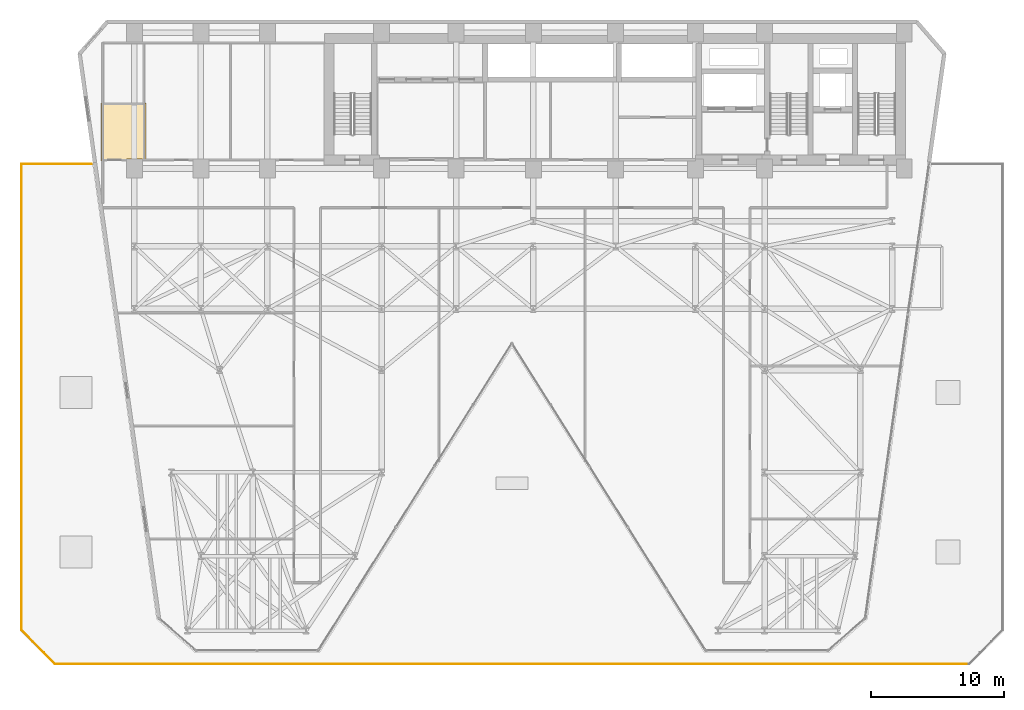
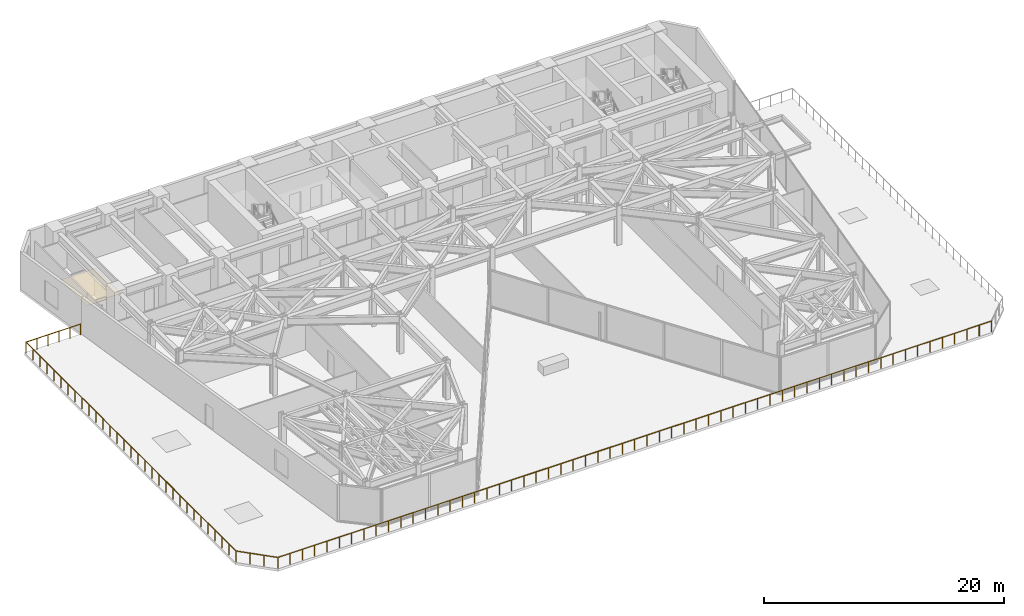
# One storey, part 21 of 25: 4 railings, 1 covering.
"""IFC4 building model written with IfcOpenShell, lengths in metres."""

from ifc_helpers import new_model, si_unit, direction, frame, origin, origin_2d, place, context, subcontext, project, spatial, polyline, circle, outline, extrude, material, layer, layer_set, type_object, element, save


model = new_model("IFC4")

# Units and contexts
model_context = context("Model", 3, precision=1e-05, world=origin(), true_north=direction((0.0, 1.0)))
body_context = subcontext(model_context, "Body", "Model", "MODEL_VIEW")
ifc_project = project(units=[si_unit("LENGTHUNIT", "METRE"), si_unit("AREAUNIT", "SQUARE_METRE"), si_unit("VOLUMEUNIT", "CUBIC_METRE"), si_unit("PLANEANGLEUNIT", "RADIAN"), si_unit("MASSUNIT", "GRAM", prefix="KILO")], contexts=[model_context])

# Site, building, storey
site_placement = place(None, origin())
site = spatial("IfcSite", under=ifc_project, at=site_placement, CompositionType="ELEMENT")
building_placement = place(site_placement, origin())
building = spatial("IfcBuilding", under=site, at=building_placement, Name="Kravanh Interchange Tower", CompositionType="ELEMENT")
storey_placement = place(building_placement, frame((0.0, 0.0, 29.5)))
storey = spatial("IfcBuildingStorey", under=building, at=storey_placement, Name="L06", CompositionType="ELEMENT", Elevation=29.5)

# Covering
ifc_material_1 = material(Name="Acoustic Mineral Fibre Tile on Aluminium Grid", Category="aluminium")
ifc_layer_1 = layer(ifc_material_1, 0.02490234375)
ifc_layer_set_1 = layer_set([ifc_layer_1], Name="Perforated Acoustic Mineral Ceiling 25mm")
covering_type = type_object("IfcCoveringType", Name="Perforated Acoustic Mineral Ceiling 25mm", PredefinedType="CEILING", material=ifc_layer_set_1)
covering_placement = place(storey_placement, frame((0.0, 0.0, 2.550048828125)))
element("IfcCovering", 1, at=covering_placement, inside=storey, type_object=covering_type, Name="L06 Accessible WC Suspended Ceiling", PredefinedType="CEILING", context=body_context, shape_type="SweptSolid", body=[
    extrude(outline(polyline([(9.4599609375, 42.280029296875), (9.4599609375, 37.909912109375), (9.199951171875, 37.909912109375), (9.199951171875, 38.050048828125), (8.0, 38.050048828125), (8.0, 37.909912109375), (6.080078125, 37.909912109375), (6.080078125, 42.280029296875), (9.4599609375, 42.280029296875)])), origin(), (0.0, 0.0, 1.0), 0.02490234375),
])

# Railings
ifc_material_2 = material(Name="Stainless Steel 316", Category="steel")
ifc_layer_2 = layer(ifc_material_2, 0.06005859375)
ifc_layer_set_2 = layer_set([ifc_layer_2], Name="Perimeter Balcony and Terrace Guardrail Stainless 316 1120mm")
railing_type = type_object("IfcRailingType", Name="Perimeter Balcony and Terrace Guardrail Stainless 316 1120mm", PredefinedType="GUARDRAIL", material=ifc_layer_set_2)
railing_1_placement = place(storey_placement, frame((71.358642578125, 0.10009765625, 0.0)))
element("IfcRailing", 2, at=railing_1_placement, inside=storey, type_object=railing_type, Name="L06 Stepped Terrace Guardrail 2", PredefinedType="GUARDRAIL", context=body_context, shape_type="SweptSolid", body=[
    extrude(circle(Radius=0.02392578125, at=origin_2d()), frame((0.0, 0.0, 1.09619140625), z_axis=(-1.0, 0.0, 0.0), x_axis=(0.0, -1.0, 0.0)), (0.0, 0.0, 1.0), 68.71728515625),
    extrude(circle(Radius=0.02099609375, at=origin_2d()), origin(), (0.0, 0.0, 1.0), 1.072021484375),
    extrude(circle(Radius=0.02099609375, at=origin_2d()), frame((-1.184814453125, 0.0, 0.0)), (0.0, 0.0, 1.0), 1.072021484375),
    extrude(circle(Radius=0.02099609375, at=origin_2d()), frame((-2.36962890625, 0.0, 0.0)), (0.0, 0.0, 1.0), 1.072021484375),
    extrude(circle(Radius=0.02099609375, at=origin_2d()), frame((-3.554443359375, 0.0, 0.0)), (0.0, 0.0, 1.0), 1.072021484375),
    extrude(circle(Radius=0.02099609375, at=origin_2d()), frame((-4.739013671875, 0.0, 0.0)), (0.0, 0.0, 1.0), 1.072021484375),
    extrude(circle(Radius=0.02099609375, at=origin_2d()), frame((-5.923828125, 0.0, 0.0)), (0.0, 0.0, 1.0), 1.072021484375),
    extrude(circle(Radius=0.02099609375, at=origin_2d()), frame((-7.108642578125, 0.0, 0.0)), (0.0, 0.0, 1.0), 1.072021484375),
    extrude(circle(Radius=0.02099609375, at=origin_2d()), frame((-8.29345703125, 0.0, 0.0)), (0.0, 0.0, 1.0), 1.072021484375),
    extrude(circle(Radius=0.02099609375, at=origin_2d()), frame((-9.478271484375, 0.0, 0.0)), (0.0, 0.0, 1.0), 1.072021484375),
    extrude(circle(Radius=0.02099609375, at=origin_2d()), frame((-10.6630859375, 0.0, 0.0)), (0.0, 0.0, 1.0), 1.072021484375),
    extrude(circle(Radius=0.02099609375, at=origin_2d()), frame((-11.847900390625, 0.0, 0.0)), (0.0, 0.0, 1.0), 1.072021484375),
    extrude(circle(Radius=0.02099609375, at=origin_2d()), frame((-13.032470703125, 0.0, 0.0)), (0.0, 0.0, 1.0), 1.072021484375),
    extrude(circle(Radius=0.02099609375, at=origin_2d()), frame((-14.21728515625, 0.0, 0.0)), (0.0, 0.0, 1.0), 1.072021484375),
    extrude(circle(Radius=0.02099609375, at=origin_2d()), frame((-15.402099609375, 0.0, 0.0)), (0.0, 0.0, 1.0), 1.072021484375),
    extrude(circle(Radius=0.02099609375, at=origin_2d()), frame((-16.5869140625, 0.0, 0.0)), (0.0, 0.0, 1.0), 1.072021484375),
    extrude(circle(Radius=0.02099609375, at=origin_2d()), frame((-17.771728515625, 0.0, 0.0)), (0.0, 0.0, 1.0), 1.072021484375),
    extrude(circle(Radius=0.02099609375, at=origin_2d()), frame((-18.95654296875, 0.0, 0.0)), (0.0, 0.0, 1.0), 1.072021484375),
    extrude(circle(Radius=0.02099609375, at=origin_2d()), frame((-20.141357421875, 0.0, 0.0)), (0.0, 0.0, 1.0), 1.072021484375),
    extrude(circle(Radius=0.02099609375, at=origin_2d()), frame((-21.326171875, 0.0, 0.0)), (0.0, 0.0, 1.0), 1.072021484375),
    extrude(circle(Radius=0.02099609375, at=origin_2d()), frame((-22.5107421875, 0.0, 0.0)), (0.0, 0.0, 1.0), 1.072021484375),
    extrude(circle(Radius=0.02099609375, at=origin_2d()), frame((-23.695556640625, 0.0, 0.0)), (0.0, 0.0, 1.0), 1.072021484375),
    extrude(circle(Radius=0.02099609375, at=origin_2d()), frame((-24.88037109375, 0.0, 0.0)), (0.0, 0.0, 1.0), 1.072021484375),
    extrude(circle(Radius=0.02099609375, at=origin_2d()), frame((-26.065185546875, 0.0, 0.0)), (0.0, 0.0, 1.0), 1.072021484375),
    extrude(circle(Radius=0.02099609375, at=origin_2d()), frame((-27.25, 0.0, 0.0)), (0.0, 0.0, 1.0), 1.072021484375),
    extrude(circle(Radius=0.02099609375, at=origin_2d()), frame((-28.434814453125, 0.0, 0.0)), (0.0, 0.0, 1.0), 1.072021484375),
    extrude(circle(Radius=0.02099609375, at=origin_2d()), frame((-29.61962890625, 0.0, 0.0)), (0.0, 0.0, 1.0), 1.072021484375),
    extrude(circle(Radius=0.02099609375, at=origin_2d()), frame((-30.80419921875, 0.0, 0.0)), (0.0, 0.0, 1.0), 1.072021484375),
    extrude(circle(Radius=0.02099609375, at=origin_2d()), frame((-31.989013671875, 0.0, 0.0)), (0.0, 0.0, 1.0), 1.072021484375),
    extrude(circle(Radius=0.02099609375, at=origin_2d()), frame((-33.173828125, 0.0, 0.0)), (0.0, 0.0, 1.0), 1.072021484375),
    extrude(circle(Radius=0.02099609375, at=origin_2d()), frame((-34.358642578125, 0.0, 0.0)), (0.0, 0.0, 1.0), 1.072021484375),
    extrude(circle(Radius=0.02099609375, at=origin_2d()), frame((-35.54345703125, 0.0, 0.0)), (0.0, 0.0, 1.0), 1.072021484375),
    extrude(circle(Radius=0.02099609375, at=origin_2d()), frame((-36.728271484375, 0.0, 0.0)), (0.0, 0.0, 1.0), 1.072021484375),
    extrude(circle(Radius=0.02099609375, at=origin_2d()), frame((-37.9130859375, 0.0, 0.0)), (0.0, 0.0, 1.0), 1.072021484375),
    extrude(circle(Radius=0.02099609375, at=origin_2d()), frame((-39.09765625, 0.0, 0.0)), (0.0, 0.0, 1.0), 1.072021484375),
    extrude(circle(Radius=0.02099609375, at=origin_2d()), frame((-40.282470703125, 0.0, 0.0)), (0.0, 0.0, 1.0), 1.072021484375),
    extrude(circle(Radius=0.02099609375, at=origin_2d()), frame((-41.46728515625, 0.0, 0.0)), (0.0, 0.0, 1.0), 1.072021484375),
    extrude(circle(Radius=0.02099609375, at=origin_2d()), frame((-42.652099609375, 0.0, 0.0)), (0.0, 0.0, 1.0), 1.072021484375),
    extrude(circle(Radius=0.02099609375, at=origin_2d()), frame((-43.8369140625, 0.0, 0.0)), (0.0, 0.0, 1.0), 1.072021484375),
    extrude(circle(Radius=0.02099609375, at=origin_2d()), frame((-45.021728515625, 0.0, 0.0)), (0.0, 0.0, 1.0), 1.072021484375),
    extrude(circle(Radius=0.02099609375, at=origin_2d()), frame((-46.20654296875, 0.0, 0.0)), (0.0, 0.0, 1.0), 1.072021484375),
    extrude(circle(Radius=0.02099609375, at=origin_2d()), frame((-47.39111328125, 0.0, 0.0)), (0.0, 0.0, 1.0), 1.072021484375),
    extrude(circle(Radius=0.02099609375, at=origin_2d()), frame((-48.575927734375, 0.0, 0.0)), (0.0, 0.0, 1.0), 1.072021484375),
    extrude(circle(Radius=0.02099609375, at=origin_2d()), frame((-49.7607421875, 0.0, 0.0)), (0.0, 0.0, 1.0), 1.072021484375),
    extrude(circle(Radius=0.02099609375, at=origin_2d()), frame((-50.945556640625, 0.0, 0.0)), (0.0, 0.0, 1.0), 1.072021484375),
    extrude(circle(Radius=0.02099609375, at=origin_2d()), frame((-52.13037109375, 0.0, 0.0)), (0.0, 0.0, 1.0), 1.072021484375),
    extrude(circle(Radius=0.02099609375, at=origin_2d()), frame((-53.315185546875, 0.0, 0.0)), (0.0, 0.0, 1.0), 1.072021484375),
    extrude(circle(Radius=0.02099609375, at=origin_2d()), frame((-54.5, 0.0, 0.0)), (0.0, 0.0, 1.0), 1.072021484375),
    extrude(circle(Radius=0.02099609375, at=origin_2d()), frame((-55.684814453125, 0.0, 0.0)), (0.0, 0.0, 1.0), 1.072021484375),
    extrude(circle(Radius=0.02099609375, at=origin_2d()), frame((-56.869384765625, 0.0, 0.0)), (0.0, 0.0, 1.0), 1.072021484375),
    extrude(circle(Radius=0.02099609375, at=origin_2d()), frame((-58.05419921875, 0.0, 0.0)), (0.0, 0.0, 1.0), 1.072021484375),
    extrude(circle(Radius=0.02099609375, at=origin_2d()), frame((-59.239013671875, 0.0, 0.0)), (0.0, 0.0, 1.0), 1.072021484375),
    extrude(circle(Radius=0.02099609375, at=origin_2d()), frame((-60.423828125, 0.0, 0.0)), (0.0, 0.0, 1.0), 1.072021484375),
    extrude(circle(Radius=0.02099609375, at=origin_2d()), frame((-61.608642578125, 0.0, 0.0)), (0.0, 0.0, 1.0), 1.072021484375),
    extrude(circle(Radius=0.02099609375, at=origin_2d()), frame((-62.79345703125, 0.0, 0.0)), (0.0, 0.0, 1.0), 1.072021484375),
    extrude(circle(Radius=0.02099609375, at=origin_2d()), frame((-63.978271484375, 0.0, 0.0)), (0.0, 0.0, 1.0), 1.072021484375),
    extrude(circle(Radius=0.02099609375, at=origin_2d()), frame((-65.162841796875, 0.0, 0.0)), (0.0, 0.0, 1.0), 1.072021484375),
    extrude(circle(Radius=0.02099609375, at=origin_2d()), frame((-66.34765625, 0.0, 0.0)), (0.0, 0.0, 1.0), 1.072021484375),
    extrude(circle(Radius=0.02099609375, at=origin_2d()), frame((-67.532470703125, 0.0, 0.0)), (0.0, 0.0, 1.0), 1.072021484375),
    extrude(circle(Radius=0.02099609375, at=origin_2d()), frame((-68.71728515625, 0.0, 0.0)), (0.0, 0.0, 1.0), 1.072021484375),
])
railing_2_placement = place(storey_placement, frame((2.641357421875, 0.10009765625, 0.0)))
element("IfcRailing", 3, at=railing_2_placement, inside=storey, type_object=railing_type, Name="L06 Stepped Terrace Guardrail 3", PredefinedType="GUARDRAIL", context=body_context, shape_type="SweptSolid", body=[
    extrude(circle(Radius=0.02392578125, at=origin_2d()), frame((0.0, 0.0, 1.09619140625), z_axis=(-0.707106781187, 0.707106781187, 0.0), x_axis=(-0.707106781187, -0.707106781187, 0.0)), (0.0, 0.0, 1.0), 3.593994140625),
    extrude(circle(Radius=0.02099609375, at=origin_2d()), origin(), (0.0, 0.0, 1.0), 1.072021484375),
    extrude(circle(Radius=0.02099609375, at=origin_2d()), frame((-0.84716796875, 0.84716796875, 0.0)), (0.0, 0.0, 1.0), 1.072021484375),
    extrude(circle(Radius=0.02099609375, at=origin_2d()), frame((-1.694091796875, 1.694091796875, 0.0)), (0.0, 0.0, 1.0), 1.072021484375),
    extrude(circle(Radius=0.02099609375, at=origin_2d()), frame((-2.541259765625, 2.541259765625, 0.0)), (0.0, 0.0, 1.0), 1.072021484375),
])
railing_3_placement = place(storey_placement, frame((0.10009765625, 2.641357421875, 0.0)))
element("IfcRailing", 4, at=railing_3_placement, inside=storey, type_object=railing_type, Name="L06 Stepped Terrace Guardrail 4", PredefinedType="GUARDRAIL", context=body_context, shape_type="SweptSolid", body=[
    extrude(circle(Radius=0.02392578125, at=origin_2d()), frame((0.0, 0.0, 1.09619140625), z_axis=(0.0, 1.0, 0.0), x_axis=(-1.0, 0.0, 0.0)), (0.0, 0.0, 1.0), 35.05859375),
    extrude(circle(Radius=0.02099609375, at=origin_2d()), origin(), (0.0, 0.0, 1.0), 1.072021484375),
    extrude(circle(Radius=0.02099609375, at=origin_2d()), frame((0.0, 1.168701171875, 0.0)), (0.0, 0.0, 1.0), 1.072021484375),
    extrude(circle(Radius=0.02099609375, at=origin_2d()), frame((0.0, 2.337158203125, 0.0)), (0.0, 0.0, 1.0), 1.072021484375),
    extrude(circle(Radius=0.02099609375, at=origin_2d()), frame((0.0, 3.505859375, 0.0)), (0.0, 0.0, 1.0), 1.072021484375),
    extrude(circle(Radius=0.02099609375, at=origin_2d()), frame((0.0, 4.674560546875, 0.0)), (0.0, 0.0, 1.0), 1.072021484375),
    extrude(circle(Radius=0.02099609375, at=origin_2d()), frame((0.0, 5.843017578125, 0.0)), (0.0, 0.0, 1.0), 1.072021484375),
    extrude(circle(Radius=0.02099609375, at=origin_2d()), frame((0.0, 7.01171875, 0.0)), (0.0, 0.0, 1.0), 1.072021484375),
    extrude(circle(Radius=0.02099609375, at=origin_2d()), frame((0.0, 8.180419921875, 0.0)), (0.0, 0.0, 1.0), 1.072021484375),
    extrude(circle(Radius=0.02099609375, at=origin_2d()), frame((0.0, 9.348876953125, 0.0)), (0.0, 0.0, 1.0), 1.072021484375),
    extrude(circle(Radius=0.02099609375, at=origin_2d()), frame((0.0, 10.517578125, 0.0)), (0.0, 0.0, 1.0), 1.072021484375),
    extrude(circle(Radius=0.02099609375, at=origin_2d()), frame((0.0, 11.686279296875, 0.0)), (0.0, 0.0, 1.0), 1.072021484375),
    extrude(circle(Radius=0.02099609375, at=origin_2d()), frame((0.0, 12.854736328125, 0.0)), (0.0, 0.0, 1.0), 1.072021484375),
    extrude(circle(Radius=0.02099609375, at=origin_2d()), frame((0.0, 14.0234375, 0.0)), (0.0, 0.0, 1.0), 1.072021484375),
    extrude(circle(Radius=0.02099609375, at=origin_2d()), frame((0.0, 15.192138671875, 0.0)), (0.0, 0.0, 1.0), 1.072021484375),
    extrude(circle(Radius=0.02099609375, at=origin_2d()), frame((0.0, 16.360595703125, 0.0)), (0.0, 0.0, 1.0), 1.072021484375),
    extrude(circle(Radius=0.02099609375, at=origin_2d()), frame((0.0, 17.529296875, 0.0)), (0.0, 0.0, 1.0), 1.072021484375),
    extrude(circle(Radius=0.02099609375, at=origin_2d()), frame((0.0, 18.697998046875, 0.0)), (0.0, 0.0, 1.0), 1.072021484375),
    extrude(circle(Radius=0.02099609375, at=origin_2d()), frame((0.0, 19.866455078125, 0.0)), (0.0, 0.0, 1.0), 1.072021484375),
    extrude(circle(Radius=0.02099609375, at=origin_2d()), frame((0.0, 21.03515625, 0.0)), (0.0, 0.0, 1.0), 1.072021484375),
    extrude(circle(Radius=0.02099609375, at=origin_2d()), frame((0.0, 22.203857421875, 0.0)), (0.0, 0.0, 1.0), 1.072021484375),
    extrude(circle(Radius=0.02099609375, at=origin_2d()), frame((0.0, 23.372314453125, 0.0)), (0.0, 0.0, 1.0), 1.072021484375),
    extrude(circle(Radius=0.02099609375, at=origin_2d()), frame((0.0, 24.541015625, 0.0)), (0.0, 0.0, 1.0), 1.072021484375),
    extrude(circle(Radius=0.02099609375, at=origin_2d()), frame((0.0, 25.709716796875, 0.0)), (0.0, 0.0, 1.0), 1.072021484375),
    extrude(circle(Radius=0.02099609375, at=origin_2d()), frame((0.0, 26.878173828125, 0.0)), (0.0, 0.0, 1.0), 1.072021484375),
    extrude(circle(Radius=0.02099609375, at=origin_2d()), frame((0.0, 28.046875, 0.0)), (0.0, 0.0, 1.0), 1.072021484375),
    extrude(circle(Radius=0.02099609375, at=origin_2d()), frame((0.0, 29.215576171875, 0.0)), (0.0, 0.0, 1.0), 1.072021484375),
    extrude(circle(Radius=0.02099609375, at=origin_2d()), frame((0.0, 30.384033203125, 0.0)), (0.0, 0.0, 1.0), 1.072021484375),
    extrude(circle(Radius=0.02099609375, at=origin_2d()), frame((0.0, 31.552734375, 0.0)), (0.0, 0.0, 1.0), 1.072021484375),
    extrude(circle(Radius=0.02099609375, at=origin_2d()), frame((0.0, 32.721435546875, 0.0)), (0.0, 0.0, 1.0), 1.072021484375),
    extrude(circle(Radius=0.02099609375, at=origin_2d()), frame((0.0, 33.889892578125, 0.0)), (0.0, 0.0, 1.0), 1.072021484375),
    extrude(circle(Radius=0.02099609375, at=origin_2d()), frame((0.0, 35.05859375, 0.0)), (0.0, 0.0, 1.0), 1.072021484375),
])
railing_4_placement = place(storey_placement, frame((0.10009765625, 37.699951171875, 0.0)))
element("IfcRailing", 5, at=railing_4_placement, inside=storey, type_object=railing_type, Name="L06 Stepped Terrace Guardrail 5", PredefinedType="GUARDRAIL", context=body_context, shape_type="SweptSolid", body=[
    extrude(circle(Radius=0.02392578125, at=origin_2d()), frame((0.0, 0.0, 1.09619140625), z_axis=(1.0, 0.0, 0.0), x_axis=(0.0, 1.0, 0.0)), (0.0, 0.0, 1.0), 5.2763671875),
    extrude(circle(Radius=0.02099609375, at=origin_2d()), origin(), (0.0, 0.0, 1.0), 1.072021484375),
    extrude(circle(Radius=0.02099609375, at=origin_2d()), frame((1.05517578125, 0.0, 0.0)), (0.0, 0.0, 1.0), 1.072021484375),
    extrude(circle(Radius=0.02099609375, at=origin_2d()), frame((2.110595703125, 0.0, 0.0)), (0.0, 0.0, 1.0), 1.072021484375),
    extrude(circle(Radius=0.02099609375, at=origin_2d()), frame((3.165771484375, 0.0, 0.0)), (0.0, 0.0, 1.0), 1.072021484375),
    extrude(circle(Radius=0.02099609375, at=origin_2d()), frame((4.22119140625, 0.0, 0.0)), (0.0, 0.0, 1.0), 1.072021484375),
    extrude(circle(Radius=0.02099609375, at=origin_2d()), frame((5.2763671875, 0.0, 0.0)), (0.0, 0.0, 1.0), 1.072021484375),
])

save(model, "model.ifc")
